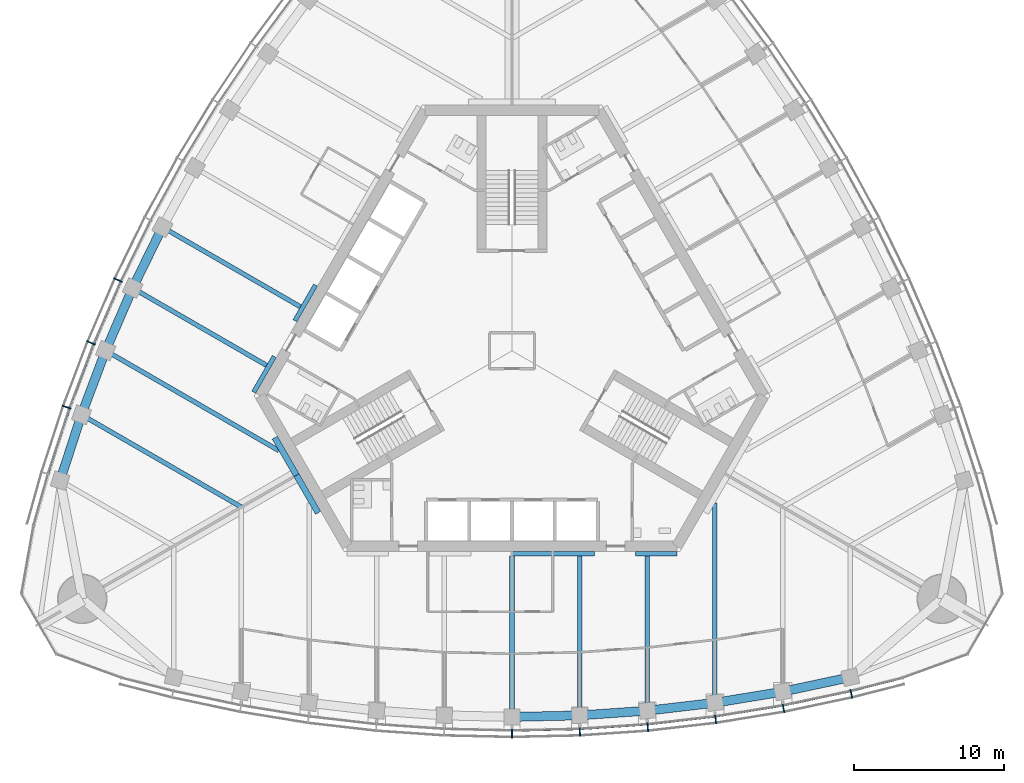
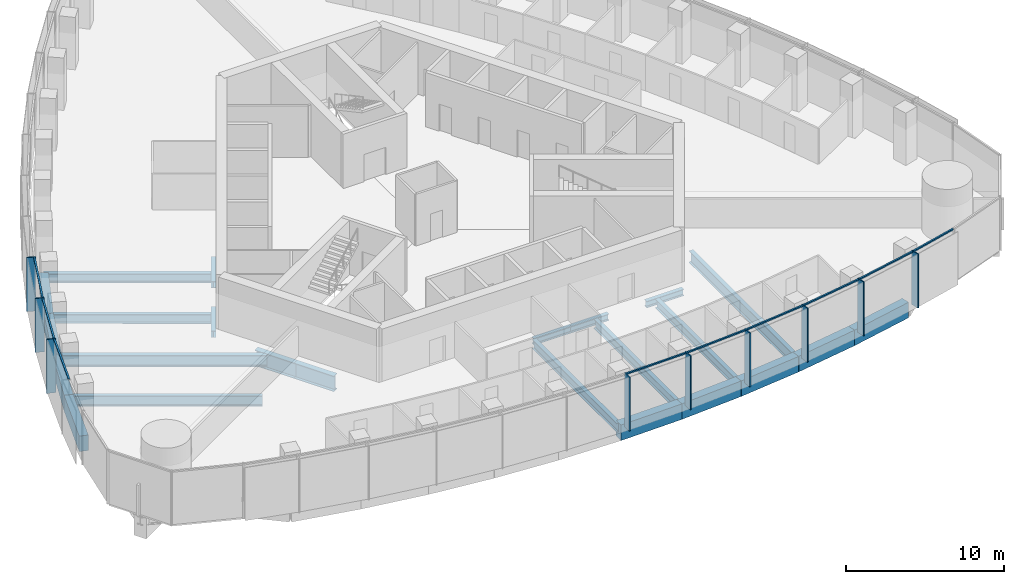
# One storey, part 3 of 19: 24 beams, 18 members, 2 elements without a shape of their own.
"""IFC4 building model written with IfcOpenShell, lengths in metres."""

import ifcopenshell
import ifcopenshell.guid

model = None  # the IFC model being written
_history = None  # IfcOwnerHistory: only IFC2X3 demands one
_inside = {}  # id of a spatial element -> (the spatial element, [elements in it])
_under = {}  # id of a project, library or spatial element -> (it, [spatial elements below it])
_declared = {}  # id of a project -> (the project, [libraries it declares])
_typed = {}  # id of a type object -> (the type object, [elements of that type])
_made_of = {}  # id of a material, layer set ... -> (it, [elements and type objects made of it])


def new_model(schema):
    """Start an empty IFC model of exactly this schema.

    Asked for "IFC4X3", IfcOpenShell would pick the latest addendum, in which some entities
    have other attributes; the version numbers below select the first issue.
    IFC2X3 requires an IfcOwnerHistory on every rooted entity: one is made here for all.
    """
    global model, _history
    if schema == "IFC4X3":
        model = ifcopenshell.file(schema_version=(4, 3, 0, 0))
    else:
        model = ifcopenshell.file(schema=schema)
    _inside.clear()
    _under.clear()
    _declared.clear()
    _typed.clear()
    _made_of.clear()
    _history = None
    if model.schema == "IFC2X3":
        org = make("IfcOrganization", Name="unknown")
        user = make(
            "IfcPersonAndOrganization",
            ThePerson=make("IfcPerson", FamilyName="unknown"),
            TheOrganization=org,
        )
        app = make(
            "IfcApplication",
            ApplicationDeveloper=org,
            Version="unknown",
            ApplicationFullName="unknown",
            ApplicationIdentifier="unknown",
        )
        _history = make(
            "IfcOwnerHistory",
            OwningUser=user,
            OwningApplication=app,
            ChangeAction="ADDED",
            CreationDate=0,
        )
    return model


def make(cls, **values):
    """One entity of the class cls with the attributes given. An attribute that is None is left unset."""
    return model.create_entity(
        cls, **{name: value for name, value in values.items() if value is not None}
    )


def rooted(cls, **values):
    """An entity with a GlobalId (a new one), such as an element, a storey or a relation."""
    return make(cls, GlobalId=ifcopenshell.guid.new(), OwnerHistory=_history, **values)


def si_unit(unit_type, name, prefix=None):
    """IfcSIUnit, for example si_unit("LENGTHUNIT", "METRE", prefix="MILLI")."""
    return make("IfcSIUnit", UnitType=unit_type, Prefix=prefix, Name=name)


def assignment(units):
    """IfcUnitAssignment: the units of a project."""
    return None if units is None else make("IfcUnitAssignment", Units=units)


def point(xyz):
    """IfcCartesianPoint."""
    return None if xyz is None else make("IfcCartesianPoint", Coordinates=xyz)


def direction(xyz):
    """IfcDirection."""
    return None if xyz is None else make("IfcDirection", DirectionRatios=xyz)


def frame(location, z_axis=None, x_axis=None):
    """IfcAxis2Placement3D, a coordinate frame: its origin and axes. An axis left out is left unset."""
    return make(
        "IfcAxis2Placement3D",
        Location=point(location),
        Axis=direction(z_axis),
        RefDirection=direction(x_axis),
    )


def frame_2d(location, x_axis=None):
    """IfcAxis2Placement2D, a coordinate frame in the plane: its origin and x axis."""
    return make(
        "IfcAxis2Placement2D", Location=point(location), RefDirection=direction(x_axis)
    )


def origin():
    """The frame at (0, 0, 0) with its axes left unset."""
    return frame((0.0, 0.0, 0.0))


def origin_2d():
    """The frame at (0, 0) in the plane with its x axis left unset."""
    return frame_2d((0.0, 0.0))


def place(relative_to, where):
    """IfcLocalPlacement: puts the frame where relative to a parent placement (None: the world)."""
    return make(
        "IfcLocalPlacement", PlacementRelTo=relative_to, RelativePlacement=where
    )


def context(
    kind, dimensions, precision=None, world=None, true_north=None, identifier=None
):
    """IfcGeometricRepresentationContext, for example the 3D "Model" context."""
    return make(
        "IfcGeometricRepresentationContext",
        ContextIdentifier=identifier,
        ContextType=kind,
        CoordinateSpaceDimension=dimensions,
        Precision=precision,
        WorldCoordinateSystem=world,
        TrueNorth=true_north,
    )


def subcontext(parent, identifier, kind, view, scale=None):
    """IfcGeometricRepresentationSubContext, for example "Body" below "Model"."""
    return make(
        "IfcGeometricRepresentationSubContext",
        ContextIdentifier=identifier,
        ContextType=kind,
        ParentContext=parent,
        TargetScale=scale,
        TargetView=view,
    )


def project(units=None, contexts=None):
    """IfcProject with its units and contexts."""
    return rooted(
        "IfcProject",
        Name="project",
        RepresentationContexts=contexts,
        UnitsInContext=assignment(units),
    )


def spatial(cls, under=None, at=None, **own):
    """A site, building, storey or space (cls), placed at a placement, below another one or the project."""
    s = rooted(cls, ObjectPlacement=at, **own)
    if under is not None:
        _under.setdefault(under.id(), (under, []))[1].append(s)
    return s


def profile(cls, at=None, kind="AREA", **sizes):
    """A parametric profile (cls). Its sizes go by their IFC names, for example OverallWidth=200.0."""
    return make(cls, ProfileType=kind, Position=at, **sizes)


def rectangle(**sizes):
    """IfcRectangleProfileDef."""
    return profile("IfcRectangleProfileDef", **sizes)


def i_section(**sizes):
    """IfcIShapeProfileDef."""
    return profile("IfcIShapeProfileDef", **sizes)


def extrude(swept, where, along, depth):
    """IfcExtrudedAreaSolid: the profile swept, set in the frame where, extruded along a direction by depth."""
    return make(
        "IfcExtrudedAreaSolid",
        SweptArea=swept,
        Position=where,
        ExtrudedDirection=direction(along),
        Depth=depth,
    )


def shape(context_of_items, identifier, shape_type, items):
    """IfcShapeRepresentation: the items that make up one representation, for example the "Body"."""
    return make(
        "IfcShapeRepresentation",
        ContextOfItems=context_of_items,
        RepresentationIdentifier=identifier,
        RepresentationType=shape_type,
        Items=items,
    )


def material(Name=None, Category=None):
    """IfcMaterial."""
    return make("IfcMaterial", Name=Name, Category=Category)


def material_profile(
    of_material, cross_section, Name=None, Category=None, Priority=None
):
    """IfcMaterialProfile: a cross section and its material."""
    return make(
        "IfcMaterialProfile",
        Name=Name,
        Material=of_material,
        Profile=cross_section,
        Priority=Priority,
        Category=Category,
    )


def profile_set(profiles, Name=None, composite=None):
    """IfcMaterialProfileSet."""
    return make(
        "IfcMaterialProfileSet",
        Name=Name,
        MaterialProfiles=profiles,
        CompositeProfile=composite,
    )


def made_of(thing, what):
    """Note that an element or type object is made of a material, layer set ...; save() writes the relation."""
    if what is not None:
        _made_of.setdefault(what.id(), (what, []))[1].append(thing)
    return thing


def type_object(cls, material=None, **own):
    """A type object (cls), such as IfcWallType, which elements share."""
    return made_of(rooted(cls, **own), material)


def element(
    cls,
    number,
    at=None,
    inside=None,
    cuts=None,
    type_object=None,
    material=None,
    context=None,
    identifier="Body",
    shape_type=None,
    held_by="IfcProductDefinitionShape",
    body=None,
    shapes=None,
    **own,
):
    """One element of the class cls, such as IfcWall. Its Tag is "e" and its number.

    at: its placement. inside: the storey or other place that contains it. cuts: it is an
    opening in that element (IfcRelVoidsElement). A single representation is given by context,
    identifier, shape_type and body (its items); several are given by shapes. held_by: the class
    of the entity that holds the representations. save() writes the other relations.
    """
    e = rooted(cls, Tag="e%d" % number, ObjectPlacement=at, **own)
    if body is not None:
        shapes = [shape(context, identifier, shape_type, body)]
    if shapes is not None:
        e.Representation = make(held_by, Representations=shapes)
    if inside is not None:
        _inside.setdefault(inside.id(), (inside, []))[1].append(e)
    if cuts is not None:
        rooted(
            "IfcRelVoidsElement", RelatingBuildingElement=cuts, RelatedOpeningElement=e
        )
    if type_object is not None:
        _typed.setdefault(type_object.id(), (type_object, []))[1].append(e)
    return made_of(e, material)


def aggregate(whole, parts):
    """IfcRelAggregates: a whole, such as a stair, and the parts it consists of."""
    return rooted("IfcRelAggregates", RelatingObject=whole, RelatedObjects=parts)


def save(model, path):
    """Write the relations noted so far, then the file.

    IfcRelAggregates (storeys below a building ...), IfcRelContainedInSpatialStructure (elements
    in a storey), IfcRelDefinesByType, IfcRelAssociatesMaterial and IfcRelDeclares: one each for
    every whole, place, type object, material and project.
    """
    for whole, parts in _under.values():
        aggregate(whole, parts)
    for where, things in _inside.values():
        rooted(
            "IfcRelContainedInSpatialStructure",
            RelatedElements=things,
            RelatingStructure=where,
        )
    for kind, things in _typed.values():
        rooted("IfcRelDefinesByType", RelatedObjects=things, RelatingType=kind)
    for what, things in _made_of.values():
        rooted("IfcRelAssociatesMaterial", RelatedObjects=things, RelatingMaterial=what)
    for by, libraries in _declared.values():
        rooted("IfcRelDeclares", RelatingContext=by, RelatedDefinitions=libraries)
    model.write(path)


model = new_model("IFC4")

# Units and contexts
model_context = context("Model", 3, precision=1e-05, world=origin(), true_north=direction((0.0, 1.0)))
body_context = subcontext(model_context, "Body", "Model", "MODEL_VIEW")
ifc_project = project(units=[si_unit("LENGTHUNIT", "METRE"), si_unit("AREAUNIT", "SQUARE_METRE"), si_unit("VOLUMEUNIT", "CUBIC_METRE"), si_unit("PLANEANGLEUNIT", "RADIAN"), si_unit("MASSUNIT", "GRAM", prefix="KILO")], contexts=[model_context])

# Site, building, storey
site_placement = place(None, origin())
site = spatial("IfcSite", under=ifc_project, at=site_placement, CompositionType="ELEMENT")
building_placement = place(site_placement, origin())
building = spatial("IfcBuilding", under=site, at=building_placement, Name="Trefoil Bronze Tower", CompositionType="ELEMENT")
storey_placement = place(building_placement, frame((0.0, 0.0, 235.89990234375)))
storey = spatial("IfcBuildingStorey", under=building, at=storey_placement, Name="L54", CompositionType="ELEMENT", Elevation=235.89990234375)

# Curtain wall, members
ifc_material_1 = material(Name="Tinted solar-control glass", Category="glass")
curtain_wall_type = type_object("IfcCurtainWallType", Name="Bronze office curtain wall", PredefinedType="USERDEFINED", material=ifc_material_1)
curtain_wall_1_placement = place(storey_placement, origin())
curtain_wall_1 = element("IfcCurtainWall", 1, at=curtain_wall_1_placement, inside=storey, type_object=curtain_wall_type, Name="CW-A L54 F1", ObjectType="CURTAIN WALL", PredefinedType="USERDEFINED")
ifc_material_2 = material(Name="Bronze-finish aluminium", Category="aluminium")
ifc_material_profile_1 = material_profile(ifc_material_2, rectangle(XDim=0.60009765625, YDim=0.080078125, at=origin_2d()), Name="CW-A mullion")
ifc_profile_set_1 = profile_set([ifc_material_profile_1], Name="Bronze-finish aluminium")
member_type_1 = type_object("IfcMemberType", Name="Bronze office curtain wall mullion", PredefinedType="MULLION", material=ifc_profile_set_1)
member_1_placement = place(storey_placement, frame((0.0, -25.45068359375, 0.0), z_axis=(0.0, 0.0, 1.0), x_axis=(0.0, 1.0, 0.0)))
member_1 = element("IfcMember", 2, at=member_1_placement, type_object=member_type_1, Name="CW-A L54 F1 mullion 7", PredefinedType="MULLION", context=body_context, shape_type="SweptSolid", body=[
    extrude(rectangle(XDim=0.60009765625, YDim=0.080078125, at=origin_2d()), origin(), (0.0, 0.0, 1.0), 4.18017578125),
])
member_2_placement = place(storey_placement, frame((4.513671875, -25.346923828125, 0.0), z_axis=(0.0, 0.0, 1.0), x_axis=(-0.045955542372, 0.998943485952, 0.0)))
member_2 = element("IfcMember", 3, at=member_2_placement, type_object=member_type_1, Name="CW-A L54 F1 mullion 8", PredefinedType="MULLION", context=body_context, shape_type="SweptSolid", body=[
    extrude(rectangle(XDim=0.60009765625, YDim=0.080078125, at=origin_2d()), origin(), (0.0, 0.0, 1.0), 4.18017578125),
])
member_3_placement = place(storey_placement, frame((9.027587890625, -25.03515625, 0.0), z_axis=(0.0, 0.0, 1.0), x_axis=(-0.091911396394, 0.995767189263, 0.0)))
member_3 = element("IfcMember", 4, at=member_3_placement, type_object=member_type_1, Name="CW-A L54 F1 mullion 9", PredefinedType="MULLION", context=body_context, shape_type="SweptSolid", body=[
    extrude(rectangle(XDim=0.60009765625, YDim=0.080078125, at=origin_2d()), origin(), (0.0, 0.0, 1.0), 4.18017578125),
])
member_4_placement = place(storey_placement, frame((13.541259765625, -24.51318359375, 0.0), z_axis=(0.0, 0.0, 1.0), x_axis=(-0.137867887204, 0.990450627582, 0.0)))
member_4 = element("IfcMember", 5, at=member_4_placement, type_object=member_type_1, Name="CW-A L54 F1 mullion 10", PredefinedType="MULLION", context=body_context, shape_type="SweptSolid", body=[
    extrude(rectangle(XDim=0.60009765625, YDim=0.080078125, at=origin_2d()), origin(), (0.0, 0.0, 1.0), 4.18017578125),
])
member_5_placement = place(storey_placement, frame((18.05517578125, -23.77783203125, 0.0), z_axis=(0.0, 0.0, 1.0), x_axis=(-0.183825368167, 0.982958917767, 0.0)))
member_5 = element("IfcMember", 6, at=member_5_placement, type_object=member_type_1, Name="CW-A L54 F1 mullion 11", PredefinedType="MULLION", context=body_context, shape_type="SweptSolid", body=[
    extrude(rectangle(XDim=0.60009765625, YDim=0.080078125, at=origin_2d()), origin(), (0.0, 0.0, 1.0), 4.18017578125),
])
member_6_placement = place(storey_placement, frame((22.568115234375, -22.82421875, 0.0), z_axis=(0.0, 0.0, 1.0), x_axis=(-0.227082662569, 0.973875487093, 0.0)))
member_6 = element("IfcMember", 7, at=member_6_placement, type_object=member_type_1, Name="CW-A L54 F1 mullion 12", PredefinedType="MULLION", context=body_context, shape_type="SweptSolid", body=[
    extrude(rectangle(XDim=0.60009765625, YDim=0.080078125, at=origin_2d()), origin(), (0.0, 0.0, 1.0), 4.18017578125),
])

curtain_wall_2_placement = place(storey_placement, origin())
curtain_wall_2 = element("IfcCurtainWall", 8, at=curtain_wall_2_placement, inside=storey, type_object=curtain_wall_type, Name="CW-A L54 F3", ObjectType="CURTAIN WALL", PredefinedType="USERDEFINED")
member_7_placement = place(storey_placement, frame((-26.19482421875, 4.699462890625, 0.0), z_axis=(0.0, 0.0, 1.0), x_axis=(0.908315380354, -0.418285990457, 0.0)))
member_7 = element("IfcMember", 9, at=member_7_placement, type_object=member_type_1, Name="CW-A L54 F3 mullion 9", PredefinedType="MULLION", context=body_context, shape_type="SweptSolid", body=[
    extrude(rectangle(XDim=0.60009765625, YDim=0.080078125, at=origin_2d()), origin(), (0.0, 0.0, 1.0), 4.18017578125),
])
member_8_placement = place(storey_placement, frame((-27.999755859375, 0.529541015625, 0.0), z_axis=(0.0, 0.0, 1.0), x_axis=(0.926689348282, -0.375828221106, 0.0)))
member_8 = element("IfcMember", 10, at=member_8_placement, type_object=member_type_1, Name="CW-A L54 F3 mullion 10", PredefinedType="MULLION", context=body_context, shape_type="SweptSolid", body=[
    extrude(rectangle(XDim=0.60009765625, YDim=0.080078125, at=origin_2d()), origin(), (0.0, 0.0, 1.0), 4.18017578125),
])
member_9_placement = place(storey_placement, frame((-29.619873046875, -3.747314453125, 0.0), z_axis=(0.0, 0.0, 1.0), x_axis=(0.943180077746, -0.332282020191, 0.0)))
member_9 = element("IfcMember", 11, at=member_9_placement, type_object=member_type_1, Name="CW-A L54 F3 mullion 11", PredefinedType="MULLION", context=body_context, shape_type="SweptSolid", body=[
    extrude(rectangle(XDim=0.60009765625, YDim=0.080078125, at=origin_2d()), origin(), (0.0, 0.0, 1.0), 4.18017578125),
])

# Member
ifc_material_3 = material(Name="Bronze-finish aluminium", Category="aluminium")
ifc_material_profile_2 = material_profile(ifc_material_3, rectangle(XDim=0.1201171875, YDim=0.10009765625, at=origin_2d()), Name="CW-A transom")
ifc_profile_set_2 = profile_set([ifc_material_profile_2], Name="Bronze-finish aluminium")
member_type_2 = type_object("IfcMemberType", Name="Bronze office curtain wall transom", PredefinedType="USERDEFINED", material=ifc_profile_set_2)
member_10_placement = place(storey_placement, frame((0.042236328125, -25.249755859375, 4.130126953125), z_axis=(0.999736131416, 0.022971015226, 0.0), x_axis=(-0.022971015226, 0.999736131416, 0.0)))
member_10 = element("IfcMember", 12, at=member_10_placement, type_object=member_type_2, Name="CW-A L54 F1 transom 7", ObjectType="TRANSOM", PredefinedType="USERDEFINED", context=body_context, shape_type="SweptSolid", body=[
    extrude(rectangle(XDim=0.1201171875, YDim=0.10009765625, at=origin_2d()), origin(), (0.0, 0.0, 1.0), 4.42138671875),
])

member_11_placement = place(storey_placement, frame((4.546875, -25.144287109375, 4.130126953125), z_axis=(0.997621320987, 0.06893257512, 0.0), x_axis=(-0.06893257512, 0.997621320987, 0.0)))
member_11 = element("IfcMember", 13, at=member_11_placement, type_object=member_type_2, Name="CW-A L54 F1 transom 8", ObjectType="TRANSOM", PredefinedType="USERDEFINED", context=body_context, shape_type="SweptSolid", body=[
    extrude(rectangle(XDim=0.1201171875, YDim=0.10009765625, at=origin_2d()), origin(), (0.0, 0.0, 1.0), 4.4306640625),
])

member_12_placement = place(storey_placement, frame((9.05126953125, -24.8310546875, 4.130126953125), z_axis=(0.993384885596, 0.114832352013, 0.0), x_axis=(-0.114832352013, 0.993384885596, 0.0)))
member_12 = element("IfcMember", 14, at=member_12_placement, type_object=member_type_2, Name="CW-A L54 F1 transom 9", ObjectType="TRANSOM", PredefinedType="USERDEFINED", context=body_context, shape_type="SweptSolid", body=[
    extrude(rectangle(XDim=0.1201171875, YDim=0.10009765625, at=origin_2d()), origin(), (0.0, 0.0, 1.0), 4.449951171875),
])

member_13_placement = place(storey_placement, frame((13.5556640625, -24.308349609375, 4.130126953125), z_axis=(0.986988367046, 0.160791676761, 0.0), x_axis=(-0.160791676761, 0.986988367046, 0.0)))
member_13 = element("IfcMember", 15, at=member_13_placement, type_object=member_type_2, Name="CW-A L54 F1 transom 10", ObjectType="TRANSOM", PredefinedType="USERDEFINED", context=body_context, shape_type="SweptSolid", body=[
    extrude(rectangle(XDim=0.1201171875, YDim=0.10009765625, at=origin_2d()), origin(), (0.0, 0.0, 1.0), 4.479248046875),
])

member_14_placement = place(storey_placement, frame((18.059814453125, -23.572509765625, 4.130126953125), z_axis=(0.978395325657, 0.20674280334, 0.0), x_axis=(-0.20674280334, 0.978395325657, 0.0)))
member_14 = element("IfcMember", 16, at=member_14_placement, type_object=member_type_2, Name="CW-A L54 F1 transom 11", ObjectType="TRANSOM", PredefinedType="USERDEFINED", context=body_context, shape_type="SweptSolid", body=[
    extrude(rectangle(XDim=0.1201171875, YDim=0.10009765625, at=origin_2d()), origin(), (0.0, 0.0, 1.0), 4.519287109375),
])

member_15_placement = place(storey_placement, frame((22.5634765625, -22.618896484375, 4.130126953125), z_axis=(0.968935220916, 0.247314653162, 0.0), x_axis=(-0.247314653162, 0.968935220916, 0.0)))
member_15 = element("IfcMember", 17, at=member_15_placement, type_object=member_type_2, Name="CW-A L54 F1 transom 12", ObjectType="TRANSOM", PredefinedType="USERDEFINED", context=body_context, shape_type="SweptSolid", body=[
    extrude(rectangle(XDim=0.1201171875, YDim=0.10009765625, at=origin_2d()), origin(), (0.0, 0.0, 1.0), 3.483642578125),
])

aggregate(curtain_wall_1, [member_1, member_2, member_3, member_4, member_5, member_6, member_10, member_11, member_12, member_13, member_14, member_15])

member_16_placement = place(storey_placement, frame((-26.030029296875, 4.576904296875, 4.130126953125), z_axis=(-0.397220936772, -0.917723012346, 0.0), x_axis=(0.917723012346, -0.397220936772, 0.0)))
member_16 = element("IfcMember", 18, at=member_16_placement, type_object=member_type_2, Name="CW-A L54 F3 transom 9", ObjectType="TRANSOM", PredefinedType="USERDEFINED", context=body_context, shape_type="SweptSolid", body=[
    extrude(rectangle(XDim=0.1201171875, YDim=0.10009765625, at=origin_2d()), origin(), (0.0, 0.0, 1.0), 4.449951171875),
])

member_17_placement = place(storey_placement, frame((-27.829345703125, 0.414794921875, 4.130126953125), z_axis=(-0.354263170896, -0.935145767112, 0.0), x_axis=(0.935145767112, -0.354263170896, 0.0)))
member_17 = element("IfcMember", 19, at=member_17_placement, type_object=member_type_2, Name="CW-A L54 F3 transom 10", ObjectType="TRANSOM", PredefinedType="USERDEFINED", context=body_context, shape_type="SweptSolid", body=[
    extrude(rectangle(XDim=0.1201171875, YDim=0.10009765625, at=origin_2d()), origin(), (0.0, 0.0, 1.0), 4.4794921875),
])

member_18_placement = place(storey_placement, frame((-29.4443359375, -3.85400390625, 4.130126953125), z_axis=(-0.310127806788, -0.950694874004, 0.0), x_axis=(0.950694874004, -0.310127806788, 0.0)))
member_18 = element("IfcMember", 20, at=member_18_placement, type_object=member_type_2, Name="CW-A L54 F3 transom 11", ObjectType="TRANSOM", PredefinedType="USERDEFINED", context=body_context, shape_type="SweptSolid", body=[
    extrude(rectangle(XDim=0.1201171875, YDim=0.10009765625, at=origin_2d()), origin(), (0.0, 0.0, 1.0), 4.51953125),
])

aggregate(curtain_wall_2, [member_7, member_8, member_9, member_16, member_17, member_18])

# Beams
ifc_material_4 = material(Name="Steel C355", Category="steel")
ifc_material_profile_3 = material_profile(ifc_material_4, i_section(OverallWidth=0.300048828125, OverallDepth=0.5, WebThickness=0.014404296875, FlangeThickness=0.028076171875, FilletRadius=0.027099609375, at=origin_2d()), Name="HEB 500")
ifc_profile_set_3 = profile_set([ifc_material_profile_3], Name="Steel C355")
beam_type_1 = type_object("IfcBeamType", Name="Core seat beam HEB 500", PredefinedType="BEAM", material=ifc_profile_set_3)
for number, where, z_axis, x_axis, name in (
    (21, (0.0, -13.5, -0.449951171875), (1.0, 0.0, 0.0), (0.0, 1.0, 0.0), "Core seat beam F1/+0 L54"),
    (22, (2.742431640625, -13.5, -0.449951171875), (1.0, 0.0, 0.0), (0.0, 1.0, 0.0), "Core seat beam F1/+1 L54"),
    (23, (8.227294921875, -13.5, -0.449951171875), (1.0, 0.0, 0.0), (0.0, 1.0, 0.0), "Core seat beam F1/+2 L54"),
    (24, (-13.0625, 4.375, -0.449951171875), (-0.500035825175, -0.866004719122, 0.0), (0.866004719122, -0.500035825175, 0.0), "Core seat beam F3/+1 L54"),
    (25, (-15.804931640625, -0.375, -0.449951171875), (-0.500035825175, -0.866004719122, 0.0), (0.866004719122, -0.500035825175, 0.0), "Core seat beam F3/+2 L54"),
):
    element("IfcBeam", number, at=place(storey_placement, frame(where, z_axis=z_axis, x_axis=x_axis)), inside=storey, type_object=beam_type_1, Name=name, PredefinedType="BEAM", context=body_context, shape_type="SweptSolid", body=[
        extrude(i_section(OverallWidth=0.300048828125, OverallDepth=0.5, WebThickness=0.014404296875, FlangeThickness=0.028076171875, FilletRadius=0.027099609375, at=origin_2d()), origin(), (0.0, 0.0, 1.0), 2.742431640625),
    ])
ifc_material_5 = material(Name="Steel C355", Category="steel")
ifc_material_profile_4 = material_profile(ifc_material_5, i_section(OverallWidth=0.39990234375, OverallDepth=1.199951171875, WebThickness=0.02001953125, FlangeThickness=0.0400390625, FilletRadius=0.010009765625, at=origin_2d()), Name="WPG 1200")
ifc_profile_set_4 = profile_set([ifc_material_profile_4], Name="Steel C355")
beam_type_2 = type_object("IfcBeamType", Name="Core seat beam WPG 1200", PredefinedType="BEAM", material=ifc_profile_set_4)
for number, where, z_axis, x_axis, name in (
    (26, (-14.332763671875, -8.27490234375, -0.7998046875), (0.499995765644, -0.866027848477, 0.0), (0.866027848477, 0.499995765644, 0.0), "Core seat beam F1/-3 L54"),
    (27, (-15.776123046875, -5.77490234375, -0.7998046875), (0.499995765644, -0.866027848477, 0.0), (0.866027848477, 0.499995765644, 0.0), "Core seat beam F3/+3 L54"),
):
    element("IfcBeam", number, at=place(storey_placement, frame(where, z_axis=z_axis, x_axis=x_axis)), inside=storey, type_object=beam_type_2, Name=name, PredefinedType="BEAM", context=body_context, shape_type="SweptSolid", body=[
        extrude(i_section(OverallWidth=0.39990234375, OverallDepth=1.199951171875, WebThickness=0.02001953125, FlangeThickness=0.0400390625, FilletRadius=0.010009765625, at=origin_2d()), origin(), (0.0, 0.0, 1.0), 2.88671875),
    ])
ifc_material_6 = material(Name="Steel C355", Category="steel")
ifc_material_profile_5 = material_profile(ifc_material_6, i_section(OverallWidth=0.300048828125, OverallDepth=0.699951171875, WebThickness=0.01708984375, FlangeThickness=0.031982421875, FilletRadius=0.027099609375, at=origin_2d()), Name="HEB 700")
ifc_profile_set_5 = profile_set([ifc_material_profile_5], Name="Steel C355")
beam_type_3 = type_object("IfcBeamType", Name="Floor beam HEB 700", PredefinedType="BEAM", material=ifc_profile_set_5)
beam_1_placement = place(storey_placement, frame((0.0, -24.3505859375, -0.5498046875), z_axis=(0.0, 1.0, 0.0), x_axis=(-1.0, 0.0, 0.0)))
element("IfcBeam", 28, at=beam_1_placement, inside=storey, type_object=beam_type_3, Name="Floor beam F1/+0 L54", PredefinedType="BEAM", context=body_context, shape_type="SweptSolid", body=[
    extrude(i_section(OverallWidth=0.300048828125, OverallDepth=0.699951171875, WebThickness=0.01708984375, FlangeThickness=0.031982421875, FilletRadius=0.027099609375, at=origin_2d()), origin(), (0.0, 0.0, 1.0), 10.70068359375),
])
beam_2_placement = place(storey_placement, frame((4.5, -24.246337890625, -0.5498046875), z_axis=(0.0, 1.0, 0.0), x_axis=(-1.0, 0.0, 0.0)))
element("IfcBeam", 29, at=beam_2_placement, inside=storey, type_object=beam_type_3, Name="Floor beam F1/+1 L54", PredefinedType="BEAM", context=body_context, shape_type="SweptSolid", body=[
    extrude(i_section(OverallWidth=0.300048828125, OverallDepth=0.699951171875, WebThickness=0.01708984375, FlangeThickness=0.031982421875, FilletRadius=0.027099609375, at=origin_2d()), origin(), (0.0, 0.0, 1.0), 10.596435546875),
])
beam_3_placement = place(storey_placement, frame((9.0, -23.932861328125, -0.5498046875), z_axis=(0.0, 1.0, 0.0), x_axis=(-1.0, 0.0, 0.0)))
element("IfcBeam", 30, at=beam_3_placement, inside=storey, type_object=beam_type_3, Name="Floor beam F1/+2 L54", PredefinedType="BEAM", context=body_context, shape_type="SweptSolid", body=[
    extrude(i_section(OverallWidth=0.300048828125, OverallDepth=0.699951171875, WebThickness=0.01708984375, FlangeThickness=0.031982421875, FilletRadius=0.027099609375, at=origin_2d()), origin(), (0.0, 0.0, 1.0), 10.282958984375),
])
beam_4_placement = place(storey_placement, frame((-23.248046875, 8.22607421875, -0.5498046875), z_axis=(0.86602981261, -0.499992363612, 0.0), x_axis=(0.499992363612, 0.86602981261, 0.0)))
element("IfcBeam", 31, at=beam_4_placement, inside=storey, type_object=beam_type_3, Name="Floor beam F3/+1 L54", PredefinedType="BEAM", context=body_context, shape_type="SweptSolid", body=[
    extrude(i_section(OverallWidth=0.300048828125, OverallDepth=0.699951171875, WebThickness=0.01708984375, FlangeThickness=0.031982421875, FilletRadius=0.027099609375, at=origin_2d()), origin(), (0.0, 0.0, 1.0), 10.596435546875),
])
beam_5_placement = place(storey_placement, frame((-25.2265625, 4.17236328125, -0.5498046875), z_axis=(0.866019527493, -0.500010177898, 0.0), x_axis=(0.500010177898, 0.866019527493, 0.0)))
element("IfcBeam", 32, at=beam_5_placement, inside=storey, type_object=beam_type_3, Name="Floor beam F3/+2 L54", PredefinedType="BEAM", context=body_context, shape_type="SweptSolid", body=[
    extrude(i_section(OverallWidth=0.300048828125, OverallDepth=0.699951171875, WebThickness=0.01708984375, FlangeThickness=0.031982421875, FilletRadius=0.027099609375, at=origin_2d()), origin(), (0.0, 0.0, 1.0), 10.282958984375),
])
ifc_material_7 = material(Name="Steel C355", Category="steel")
ifc_material_profile_6 = material_profile(ifc_material_7, i_section(OverallWidth=0.300048828125, OverallDepth=0.800048828125, WebThickness=0.017578125, FlangeThickness=0.032958984375, FilletRadius=0.030029296875, at=origin_2d()), Name="HEB 800")
ifc_profile_set_6 = profile_set([ifc_material_profile_6], Name="Steel C355")
beam_type_4 = type_object("IfcBeamType", Name="Floor beam HEB 800", PredefinedType="BEAM", material=ifc_profile_set_6)
beam_6_placement = place(storey_placement, frame((-28.632080078125, -4.25390625, -0.599853515625), z_axis=(0.866025635187, -0.499999599199, 0.0), x_axis=(0.499999599199, 0.866025635187, 0.0)))
element("IfcBeam", 33, at=beam_6_placement, inside=storey, type_object=beam_type_4, Name="Floor beam F3/+4 L54", PredefinedType="BEAM", context=body_context, shape_type="SweptSolid", body=[
    extrude(i_section(OverallWidth=0.300048828125, OverallDepth=0.800048828125, WebThickness=0.017578125, FlangeThickness=0.032958984375, FilletRadius=0.030029296875, at=origin_2d()), origin(), (0.0, 0.0, 1.0), 12.27685546875),
])
ifc_material_8 = material(Name="Steel C355", Category="steel")
ifc_material_profile_7 = material_profile(ifc_material_8, i_section(OverallWidth=0.300048828125, OverallDepth=0.89990234375, WebThickness=0.0185546875, FlangeThickness=0.034912109375, FilletRadius=0.030029296875, at=origin_2d()), Name="HEB 900")
ifc_profile_set_7 = profile_set([ifc_material_profile_7], Name="Steel C355")
beam_type_5 = type_object("IfcBeamType", Name="Floor beam HEB 900", PredefinedType="BEAM", material=ifc_profile_set_7)
for number, where, z_axis, x_axis, name in (
    (34, (13.5, -23.408447265625, -0.64990234375), (0.0, 1.0, 0.0), (-1.0, 0.0, 0.0), "Floor beam F1/+3 L54"),
    (35, (-27.022216796875, 0.012939453125, -0.64990234375), (0.866023461342, -0.500003364394, 0.0), (0.500003364394, 0.866023461342, 0.0), "Floor beam F3/+3 L54"),
):
    element("IfcBeam", number, at=place(storey_placement, frame(where, z_axis=z_axis, x_axis=x_axis)), inside=storey, type_object=beam_type_5, Name=name, PredefinedType="BEAM", context=body_context, shape_type="SweptSolid", body=[
        extrude(i_section(OverallWidth=0.300048828125, OverallDepth=0.89990234375, WebThickness=0.0185546875, FlangeThickness=0.034912109375, FilletRadius=0.030029296875, at=origin_2d()), origin(), (0.0, 0.0, 1.0), 13.291015625),
    ])
ifc_material_9 = material(Name="Concrete B80", Category="concrete")
ifc_material_profile_8 = material_profile(ifc_material_9, rectangle(XDim=0.60009765625, YDim=1.199951171875, at=origin_2d()), Name="RC 600x1200")
ifc_profile_set_8 = profile_set([ifc_material_profile_8], Name="Concrete B80")
beam_type_6 = type_object("IfcBeamType", Name="Spandrel beam RC 600x1200", PredefinedType="SPANDREL", material=ifc_profile_set_8)
beam_7_placement = place(storey_placement, frame((0.0, -24.3505859375, -0.7998046875), z_axis=(0.999731770792, 0.023160018779, 0.0), x_axis=(-0.023160018779, 0.999731770792, 0.0)))
element("IfcBeam", 36, at=beam_7_placement, inside=storey, type_object=beam_type_6, Name="Spandrel F1.7 L54", PredefinedType="SPANDREL", context=body_context, shape_type="SweptSolid", body=[
    extrude(rectangle(XDim=0.60009765625, YDim=1.199951171875, at=origin_2d()), origin(), (0.0, 0.0, 1.0), 4.501220703125),
])
beam_8_placement = place(storey_placement, frame((4.5, -24.246337890625, -0.7998046875), z_axis=(0.997582435881, 0.069493047291, 0.0), x_axis=(-0.069493047291, 0.997582435881, 0.0)))
element("IfcBeam", 37, at=beam_8_placement, inside=storey, type_object=beam_type_6, Name="Spandrel F1.8 L54", PredefinedType="SPANDREL", context=body_context, shape_type="SweptSolid", body=[
    extrude(rectangle(XDim=0.60009765625, YDim=1.199951171875, at=origin_2d()), origin(), (0.0, 0.0, 1.0), 4.510986328125),
])
beam_9_placement = place(storey_placement, frame((9.0, -23.932861328125, -0.7998046875), z_axis=(0.993278017132, 0.115753102257, 0.0), x_axis=(-0.115753102257, 0.993278017132, 0.0)))
element("IfcBeam", 38, at=beam_9_placement, inside=storey, type_object=beam_type_6, Name="Spandrel F1.9 L54", PredefinedType="SPANDREL", context=body_context, shape_type="SweptSolid", body=[
    extrude(rectangle(XDim=0.60009765625, YDim=1.199951171875, at=origin_2d()), origin(), (0.0, 0.0, 1.0), 4.530517578125),
])
beam_10_placement = place(storey_placement, frame((13.5, -23.408447265625, -0.7998046875), z_axis=(0.986764681833, 0.162158757664, 0.0), x_axis=(-0.162158757664, 0.986764681833, 0.0)))
element("IfcBeam", 39, at=beam_10_placement, inside=storey, type_object=beam_type_6, Name="Spandrel F1.10 L54", PredefinedType="SPANDREL", context=body_context, shape_type="SweptSolid", body=[
    extrude(rectangle(XDim=0.60009765625, YDim=1.199951171875, at=origin_2d()), origin(), (0.0, 0.0, 1.0), 4.560302734375),
])
beam_11_placement = place(storey_placement, frame((18.0, -22.6689453125, -0.7998046875), z_axis=(0.978059483036, 0.208325820877, 0.0), x_axis=(-0.208325820877, 0.978059483036, 0.0)))
element("IfcBeam", 40, at=beam_11_placement, inside=storey, type_object=beam_type_6, Name="Spandrel F1.11 L54", PredefinedType="SPANDREL", context=body_context, shape_type="SweptSolid", body=[
    extrude(rectangle(XDim=0.60009765625, YDim=1.199951171875, at=origin_2d()), origin(), (0.0, 0.0, 1.0), 4.600830078125),
])
beam_12_placement = place(storey_placement, frame((-23.248046875, 8.22607421875, -0.7998046875), z_axis=(-0.438619830351, -0.898672712629, 0.0), x_axis=(0.898672712629, -0.438619830351, 0.0)))
element("IfcBeam", 41, at=beam_12_placement, inside=storey, type_object=beam_type_6, Name="Spandrel F3.8 L54", PredefinedType="SPANDREL", context=body_context, shape_type="SweptSolid", body=[
    extrude(rectangle(XDim=0.60009765625, YDim=1.199951171875, at=origin_2d()), origin(), (0.0, 0.0, 1.0), 4.5107421875),
])
beam_13_placement = place(storey_placement, frame((-25.2265625, 4.17236328125, -0.7998046875), z_axis=(-0.396350337164, -0.918099346602, 0.0), x_axis=(0.918099346602, -0.396350337164, 0.0)))
element("IfcBeam", 42, at=beam_13_placement, inside=storey, type_object=beam_type_6, Name="Spandrel F3.9 L54", PredefinedType="SPANDREL", context=body_context, shape_type="SweptSolid", body=[
    extrude(rectangle(XDim=0.60009765625, YDim=1.199951171875, at=origin_2d()), origin(), (0.0, 0.0, 1.0), 4.530517578125),
])
beam_14_placement = place(storey_placement, frame((-27.022216796875, 0.012939453125, -0.7998046875), z_axis=(-0.353005969632, -0.935621069346, 0.0), x_axis=(0.935621069346, -0.353005969632, 0.0)))
element("IfcBeam", 43, at=beam_14_placement, inside=storey, type_object=beam_type_6, Name="Spandrel F3.10 L54", PredefinedType="SPANDREL", context=body_context, shape_type="SweptSolid", body=[
    extrude(rectangle(XDim=0.60009765625, YDim=1.199951171875, at=origin_2d()), origin(), (0.0, 0.0, 1.0), 4.560546875),
])
beam_15_placement = place(storey_placement, frame((-28.632080078125, -4.25390625, -0.7998046875), z_axis=(-0.308608505504, -0.951189145402, 0.0), x_axis=(0.951189145402, -0.308608505504, 0.0)))
element("IfcBeam", 44, at=beam_15_placement, inside=storey, type_object=beam_type_6, Name="Spandrel F3.11 L54", PredefinedType="SPANDREL", context=body_context, shape_type="SweptSolid", body=[
    extrude(rectangle(XDim=0.60009765625, YDim=1.199951171875, at=origin_2d()), origin(), (0.0, 0.0, 1.0), 4.60107421875),
])

save(model, "model.ifc")
